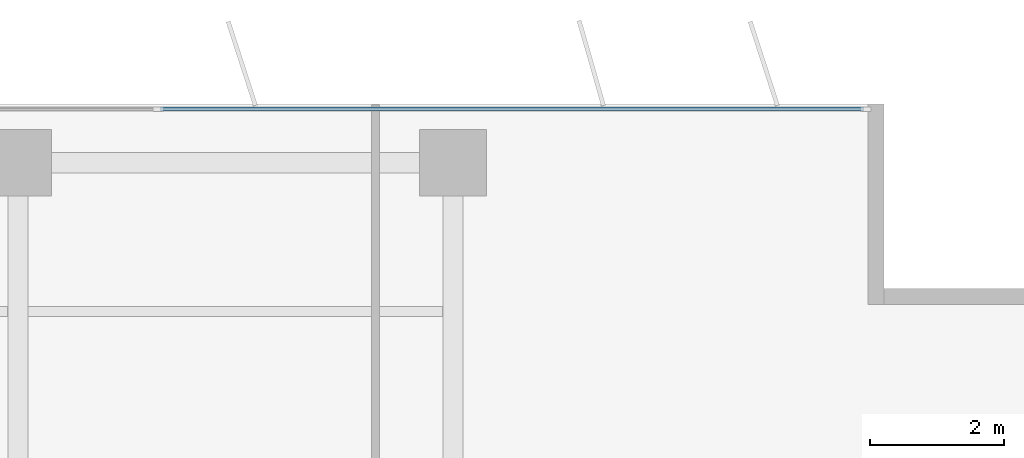
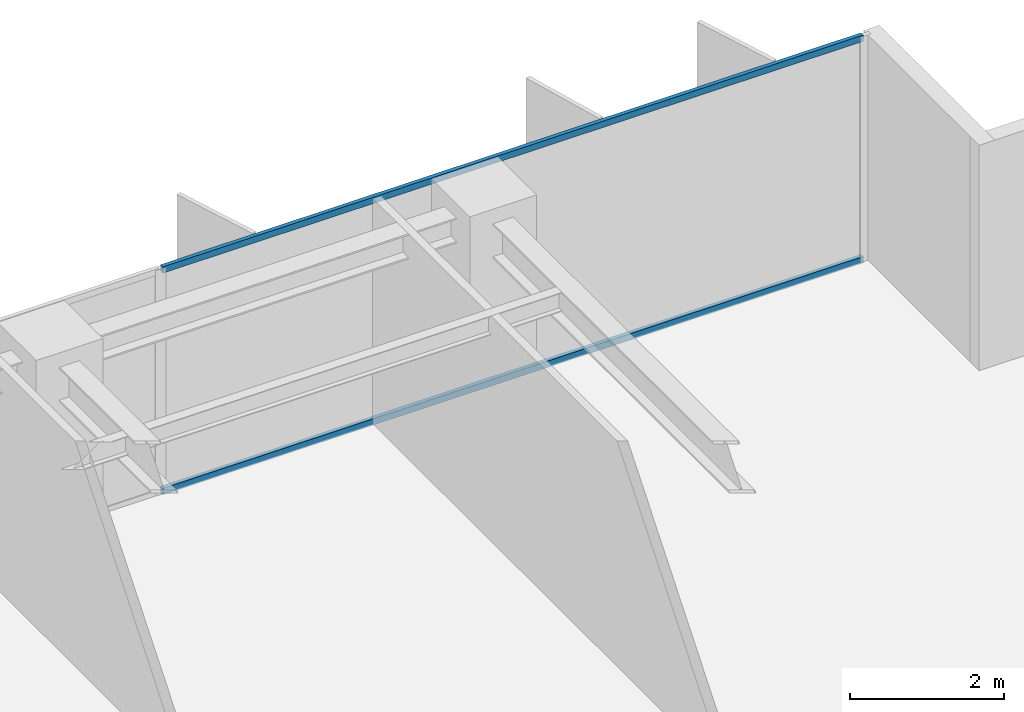
# One storey, part 11 of 22: 2 members, 1 element without a shape of its own.
"""IFC4 building model written with IfcOpenShell, lengths in metres."""

import ifcopenshell
import ifcopenshell.guid

model = None  # the IFC model being written
_history = None  # IfcOwnerHistory: only IFC2X3 demands one
_inside = {}  # id of a spatial element -> (the spatial element, [elements in it])
_under = {}  # id of a project, library or spatial element -> (it, [spatial elements below it])
_declared = {}  # id of a project -> (the project, [libraries it declares])
_typed = {}  # id of a type object -> (the type object, [elements of that type])
_made_of = {}  # id of a material, layer set ... -> (it, [elements and type objects made of it])


def new_model(schema):
    """Start an empty IFC model of exactly this schema.

    Asked for "IFC4X3", IfcOpenShell would pick the latest addendum, in which some entities
    have other attributes; the version numbers below select the first issue.
    IFC2X3 requires an IfcOwnerHistory on every rooted entity: one is made here for all.
    """
    global model, _history
    if schema == "IFC4X3":
        model = ifcopenshell.file(schema_version=(4, 3, 0, 0))
    else:
        model = ifcopenshell.file(schema=schema)
    _inside.clear()
    _under.clear()
    _declared.clear()
    _typed.clear()
    _made_of.clear()
    _history = None
    if model.schema == "IFC2X3":
        org = make("IfcOrganization", Name="unknown")
        user = make(
            "IfcPersonAndOrganization",
            ThePerson=make("IfcPerson", FamilyName="unknown"),
            TheOrganization=org,
        )
        app = make(
            "IfcApplication",
            ApplicationDeveloper=org,
            Version="unknown",
            ApplicationFullName="unknown",
            ApplicationIdentifier="unknown",
        )
        _history = make(
            "IfcOwnerHistory",
            OwningUser=user,
            OwningApplication=app,
            ChangeAction="ADDED",
            CreationDate=0,
        )
    return model


def make(cls, **values):
    """One entity of the class cls with the attributes given. An attribute that is None is left unset."""
    return model.create_entity(
        cls, **{name: value for name, value in values.items() if value is not None}
    )


def rooted(cls, **values):
    """An entity with a GlobalId (a new one), such as an element, a storey or a relation."""
    return make(cls, GlobalId=ifcopenshell.guid.new(), OwnerHistory=_history, **values)


def si_unit(unit_type, name, prefix=None):
    """IfcSIUnit, for example si_unit("LENGTHUNIT", "METRE", prefix="MILLI")."""
    return make("IfcSIUnit", UnitType=unit_type, Prefix=prefix, Name=name)


def assignment(units):
    """IfcUnitAssignment: the units of a project."""
    return None if units is None else make("IfcUnitAssignment", Units=units)


def point(xyz):
    """IfcCartesianPoint."""
    return None if xyz is None else make("IfcCartesianPoint", Coordinates=xyz)


def direction(xyz):
    """IfcDirection."""
    return None if xyz is None else make("IfcDirection", DirectionRatios=xyz)


def frame(location, z_axis=None, x_axis=None):
    """IfcAxis2Placement3D, a coordinate frame: its origin and axes. An axis left out is left unset."""
    return make(
        "IfcAxis2Placement3D",
        Location=point(location),
        Axis=direction(z_axis),
        RefDirection=direction(x_axis),
    )


def frame_2d(location, x_axis=None):
    """IfcAxis2Placement2D, a coordinate frame in the plane: its origin and x axis."""
    return make(
        "IfcAxis2Placement2D", Location=point(location), RefDirection=direction(x_axis)
    )


def origin():
    """The frame at (0, 0, 0) with its axes left unset."""
    return frame((0.0, 0.0, 0.0))


def origin_2d():
    """The frame at (0, 0) in the plane with its x axis left unset."""
    return frame_2d((0.0, 0.0))


def place(relative_to, where):
    """IfcLocalPlacement: puts the frame where relative to a parent placement (None: the world)."""
    return make(
        "IfcLocalPlacement", PlacementRelTo=relative_to, RelativePlacement=where
    )


def context(
    kind, dimensions, precision=None, world=None, true_north=None, identifier=None
):
    """IfcGeometricRepresentationContext, for example the 3D "Model" context."""
    return make(
        "IfcGeometricRepresentationContext",
        ContextIdentifier=identifier,
        ContextType=kind,
        CoordinateSpaceDimension=dimensions,
        Precision=precision,
        WorldCoordinateSystem=world,
        TrueNorth=true_north,
    )


def subcontext(parent, identifier, kind, view, scale=None):
    """IfcGeometricRepresentationSubContext, for example "Body" below "Model"."""
    return make(
        "IfcGeometricRepresentationSubContext",
        ContextIdentifier=identifier,
        ContextType=kind,
        ParentContext=parent,
        TargetScale=scale,
        TargetView=view,
    )


def project(units=None, contexts=None):
    """IfcProject with its units and contexts."""
    return rooted(
        "IfcProject",
        Name="project",
        RepresentationContexts=contexts,
        UnitsInContext=assignment(units),
    )


def spatial(cls, under=None, at=None, **own):
    """A site, building, storey or space (cls), placed at a placement, below another one or the project."""
    s = rooted(cls, ObjectPlacement=at, **own)
    if under is not None:
        _under.setdefault(under.id(), (under, []))[1].append(s)
    return s


def profile(cls, at=None, kind="AREA", **sizes):
    """A parametric profile (cls). Its sizes go by their IFC names, for example OverallWidth=200.0."""
    return make(cls, ProfileType=kind, Position=at, **sizes)


def rectangle(**sizes):
    """IfcRectangleProfileDef."""
    return profile("IfcRectangleProfileDef", **sizes)


def extrude(swept, where, along, depth):
    """IfcExtrudedAreaSolid: the profile swept, set in the frame where, extruded along a direction by depth."""
    return make(
        "IfcExtrudedAreaSolid",
        SweptArea=swept,
        Position=where,
        ExtrudedDirection=direction(along),
        Depth=depth,
    )


def shape(context_of_items, identifier, shape_type, items):
    """IfcShapeRepresentation: the items that make up one representation, for example the "Body"."""
    return make(
        "IfcShapeRepresentation",
        ContextOfItems=context_of_items,
        RepresentationIdentifier=identifier,
        RepresentationType=shape_type,
        Items=items,
    )


def material(Name=None, Category=None):
    """IfcMaterial."""
    return make("IfcMaterial", Name=Name, Category=Category)


def layer(
    of_material, thickness, ventilated=None, Name=None, Category=None, Priority=None
):
    """IfcMaterialLayer: one layer of a wall or slab, of a material (None: an air gap)."""
    return make(
        "IfcMaterialLayer",
        Material=of_material,
        LayerThickness=thickness,
        IsVentilated=ventilated,
        Name=Name,
        Category=Category,
        Priority=Priority,
    )


def layer_set(layers, Name=None):
    """IfcMaterialLayerSet."""
    return make("IfcMaterialLayerSet", MaterialLayers=layers, LayerSetName=Name)


def material_profile(
    of_material, cross_section, Name=None, Category=None, Priority=None
):
    """IfcMaterialProfile: a cross section and its material."""
    return make(
        "IfcMaterialProfile",
        Name=Name,
        Material=of_material,
        Profile=cross_section,
        Priority=Priority,
        Category=Category,
    )


def profile_set(profiles, Name=None, composite=None):
    """IfcMaterialProfileSet."""
    return make(
        "IfcMaterialProfileSet",
        Name=Name,
        MaterialProfiles=profiles,
        CompositeProfile=composite,
    )


def made_of(thing, what):
    """Note that an element or type object is made of a material, layer set ...; save() writes the relation."""
    if what is not None:
        _made_of.setdefault(what.id(), (what, []))[1].append(thing)
    return thing


def type_object(cls, material=None, **own):
    """A type object (cls), such as IfcWallType, which elements share."""
    return made_of(rooted(cls, **own), material)


def element(
    cls,
    number,
    at=None,
    inside=None,
    cuts=None,
    type_object=None,
    material=None,
    context=None,
    identifier="Body",
    shape_type=None,
    held_by="IfcProductDefinitionShape",
    body=None,
    shapes=None,
    **own,
):
    """One element of the class cls, such as IfcWall. Its Tag is "e" and its number.

    at: its placement. inside: the storey or other place that contains it. cuts: it is an
    opening in that element (IfcRelVoidsElement). A single representation is given by context,
    identifier, shape_type and body (its items); several are given by shapes. held_by: the class
    of the entity that holds the representations. save() writes the other relations.
    """
    e = rooted(cls, Tag="e%d" % number, ObjectPlacement=at, **own)
    if body is not None:
        shapes = [shape(context, identifier, shape_type, body)]
    if shapes is not None:
        e.Representation = make(held_by, Representations=shapes)
    if inside is not None:
        _inside.setdefault(inside.id(), (inside, []))[1].append(e)
    if cuts is not None:
        rooted(
            "IfcRelVoidsElement", RelatingBuildingElement=cuts, RelatedOpeningElement=e
        )
    if type_object is not None:
        _typed.setdefault(type_object.id(), (type_object, []))[1].append(e)
    return made_of(e, material)


def aggregate(whole, parts):
    """IfcRelAggregates: a whole, such as a stair, and the parts it consists of."""
    return rooted("IfcRelAggregates", RelatingObject=whole, RelatedObjects=parts)


def save(model, path):
    """Write the relations noted so far, then the file.

    IfcRelAggregates (storeys below a building ...), IfcRelContainedInSpatialStructure (elements
    in a storey), IfcRelDefinesByType, IfcRelAssociatesMaterial and IfcRelDeclares: one each for
    every whole, place, type object, material and project.
    """
    for whole, parts in _under.values():
        aggregate(whole, parts)
    for where, things in _inside.values():
        rooted(
            "IfcRelContainedInSpatialStructure",
            RelatedElements=things,
            RelatingStructure=where,
        )
    for kind, things in _typed.values():
        rooted("IfcRelDefinesByType", RelatedObjects=things, RelatingType=kind)
    for what, things in _made_of.values():
        rooted("IfcRelAssociatesMaterial", RelatedObjects=things, RelatingMaterial=what)
    for by, libraries in _declared.values():
        rooted("IfcRelDeclares", RelatingContext=by, RelatedDefinitions=libraries)
    model.write(path)


model = new_model("IFC4")

# Units and contexts
model_context = context("Model", 3, precision=1e-05, world=origin(), true_north=direction((0.0, 1.0)))
body_context = subcontext(model_context, "Body", "Model", "MODEL_VIEW")
ifc_project = project(units=[si_unit("LENGTHUNIT", "METRE"), si_unit("AREAUNIT", "SQUARE_METRE"), si_unit("VOLUMEUNIT", "CUBIC_METRE"), si_unit("PLANEANGLEUNIT", "RADIAN"), si_unit("MASSUNIT", "GRAM", prefix="KILO")], contexts=[model_context])

# Site, building, storey
site_placement = place(None, origin())
site = spatial("IfcSite", under=ifc_project, at=site_placement, CompositionType="ELEMENT")
building_placement = place(site_placement, origin())
building = spatial("IfcBuilding", under=site, at=building_placement, Name="Putna Gate Headquarters", CompositionType="ELEMENT")
storey_placement = place(building_placement, frame((0.0, 0.0, 182.199951171875)))
storey = spatial("IfcBuildingStorey", under=building, at=storey_placement, Name="L45", CompositionType="ELEMENT", Elevation=182.199951171875)

# Curtain wall, members
ifc_material_1 = material(Name="Anodised bronze aluminium curtain wall", Category="aluminium")
ifc_layer = layer(ifc_material_1, 0.159912109375)
ifc_layer_set = layer_set([ifc_layer], Name="Anodised bronze aluminium curtain wall")
curtain_wall_type = type_object("IfcCurtainWallType", Name="CW-SYS-Z3", PredefinedType="USERDEFINED", material=ifc_layer_set)
curtain_wall_placement = place(storey_placement, origin())
curtain_wall = element("IfcCurtainWall", 1, at=curtain_wall_placement, inside=storey, type_object=curtain_wall_type, Name="L45 North East Curtain Wall", ObjectType="STICK CURTAIN WALL", PredefinedType="USERDEFINED")
ifc_material_2 = material(Name="Anodised bronze aluminium EN AW-6060", Category="aluminium")
ifc_material_profile = material_profile(ifc_material_2, rectangle(XDim=0.06005859375, YDim=0.10009765625, at=origin_2d()), Name="Anodised bronze aluminium EN AW-6060")
ifc_profile_set = profile_set([ifc_material_profile], Name="Anodised bronze aluminium EN AW-6060")
member_type = type_object("IfcMemberType", Name="TRAN-CWT-3", PredefinedType="USERDEFINED", material=ifc_profile_set)
member_1_placement = place(storey_placement, frame((60.632568359375, 48.52001953125, 0.030029296875), z_axis=(1.0, 0.0, 0.0), x_axis=(0.0, 1.0, 0.0)))
member_1 = element("IfcMember", 2, at=member_1_placement, type_object=member_type, Name="CWS-3 transom 2.1", ObjectType="TRANSOM", PredefinedType="USERDEFINED", context=body_context, shape_type="SweptSolid", body=[
    extrude(rectangle(XDim=0.06005859375, YDim=0.10009765625, at=origin_2d()), origin(), (0.0, 0.0, 1.0), 10.50244140625),
])
member_2_placement = place(storey_placement, frame((60.632568359375, 48.52001953125, 3.5419921875), z_axis=(1.0, 0.0, 0.0), x_axis=(0.0, 1.0, 0.0)))
member_2 = element("IfcMember", 3, at=member_2_placement, type_object=member_type, Name="CWS-3 transom 2.2", ObjectType="TRANSOM", PredefinedType="USERDEFINED", context=body_context, shape_type="SweptSolid", body=[
    extrude(rectangle(XDim=0.06005859375, YDim=0.10009765625, at=origin_2d()), origin(), (0.0, 0.0, 1.0), 10.50244140625),
])
aggregate(curtain_wall, [member_1, member_2])

save(model, "model.ifc")
